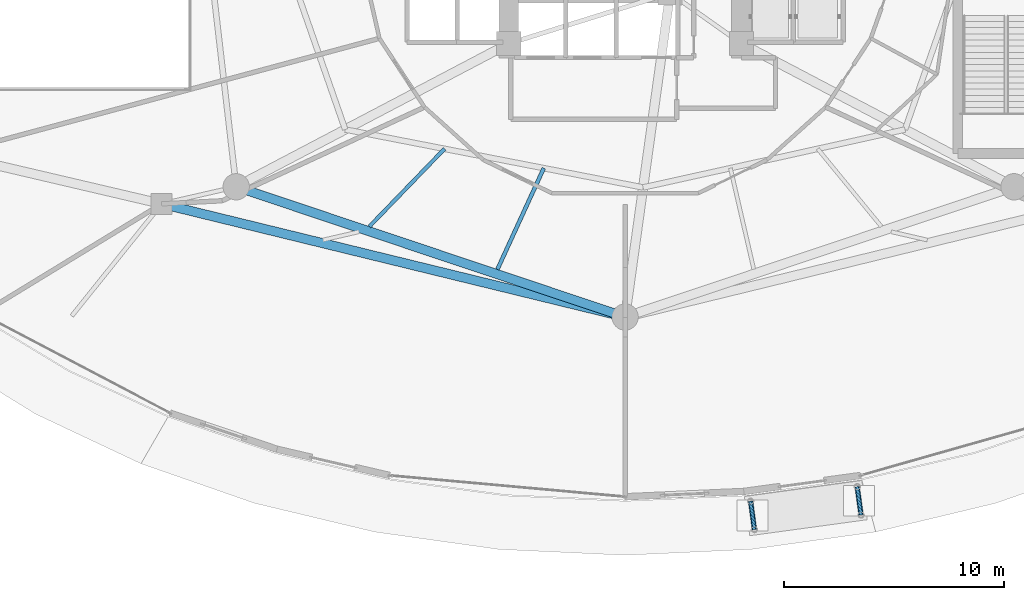
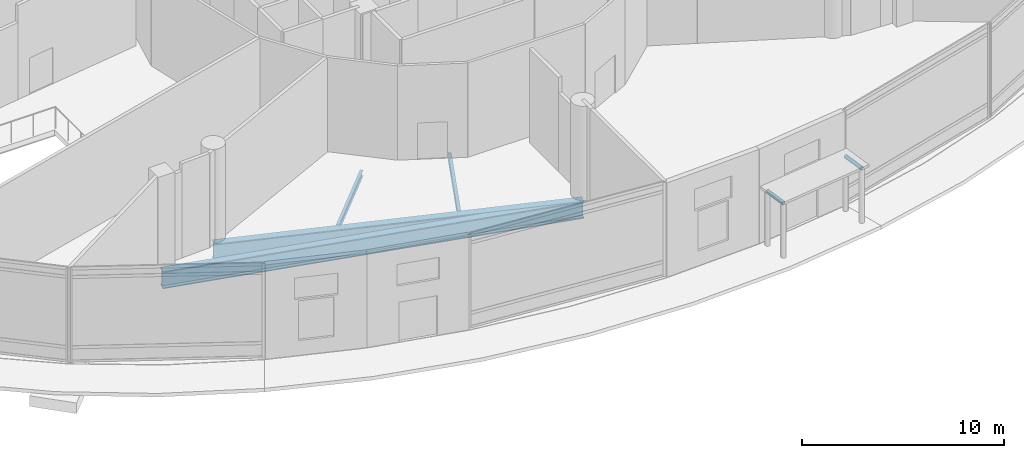
# One storey, part 13 of 40: 4 beams, 2 members.
"""IFC4 building model written with IfcOpenShell, lengths in metres."""

from ifc_helpers import new_model, si_unit, direction, frame, origin, origin_2d, place, context, subcontext, project, spatial, hollow_circle, i_section, extrude, material, material_profile, profile_set, type_object, element, save


model = new_model("IFC4")

# Units and contexts
model_context = context("Model", 3, precision=1e-05, world=origin(), true_north=direction((0.0, 1.0)))
body_context = subcontext(model_context, "Body", "Model", "MODEL_VIEW")
ifc_project = project(units=[si_unit("LENGTHUNIT", "METRE"), si_unit("AREAUNIT", "SQUARE_METRE"), si_unit("VOLUMEUNIT", "CUBIC_METRE"), si_unit("PLANEANGLEUNIT", "RADIAN"), si_unit("MASSUNIT", "GRAM", prefix="KILO")], contexts=[model_context])

# Site, building, storey
site_placement = place(None, origin())
site = spatial("IfcSite", under=ifc_project, at=site_placement, CompositionType="ELEMENT")
building_placement = place(site_placement, origin())
building = spatial("IfcBuilding", under=site, at=building_placement, Name="Nuhasar Tower", CompositionType="ELEMENT")
storey_placement = place(building_placement, origin())
storey = spatial("IfcBuildingStorey", under=building, at=storey_placement, Name="L00", CompositionType="ELEMENT", Elevation=0.0)

# Beams
ifc_material_1 = material(Name="Steel S355", Category="steel")
ifc_material_profile_1 = material_profile(ifc_material_1, i_section(OverallWidth=0.1708984375, OverallDepth=0.35205078125, WebThickness=0.0068359375, FlangeThickness=0.009765625, at=origin_2d()), Name="W14X30")
ifc_profile_set_1 = profile_set([ifc_material_profile_1], Name="Steel S355")
beam_type_1 = type_object("IfcBeamType", Name="BM-JST-W14X30", PredefinedType="JOIST", material=ifc_profile_set_1)
beam_1_placement = place(storey_placement, frame((30.77490234375, 14.208984375, -0.49609375), z_axis=(-0.695213362508, -0.718803436685, 0.0), x_axis=(0.718803436685, -0.695213362508, 0.0)))
element("IfcBeam", 1, at=beam_1_placement, inside=storey, type_object=beam_type_1, Name="L00 Secondary Floor Joist 01", PredefinedType="JOIST", context=body_context, shape_type="SweptSolid", body=[
    extrude(i_section(OverallWidth=0.1708984375, OverallDepth=0.35205078125, WebThickness=0.0068359375, FlangeThickness=0.009765625, at=origin_2d()), origin(), (0.0, 0.0, 1.0), 4.92626953125),
])
ifc_material_profile_2 = material_profile(ifc_material_1, i_section(OverallWidth=0.177978515625, OverallDepth=0.406005859375, WebThickness=0.0078125, FlangeThickness=0.0126953125, at=origin_2d()), Name="W16X40")
ifc_profile_set_2 = profile_set([ifc_material_profile_2], Name="Steel S355")
beam_type_2 = type_object("IfcBeamType", Name="BM-JST-W16X40", PredefinedType="JOIST", material=ifc_profile_set_2)
beam_2_placement = place(storey_placement, frame((35.297119140625, 13.330078125, -0.52294921875), z_axis=(-0.416659678272, -0.909062545979, 0.0), x_axis=(0.909062545979, -0.416659678272, 0.0)))
element("IfcBeam", 2, at=beam_2_placement, inside=storey, type_object=beam_type_2, Name="L00 Secondary Floor Joist 02", PredefinedType="JOIST", context=body_context, shape_type="SweptSolid", body=[
    extrude(i_section(OverallWidth=0.177978515625, OverallDepth=0.406005859375, WebThickness=0.0078125, FlangeThickness=0.0126953125, at=origin_2d()), origin(), (0.0, 0.0, 1.0), 5.07666015625),
])
ifc_material_2 = material(Name="Steel S460", Category="steel")
ifc_material_profile_3 = material_profile(ifc_material_2, i_section(OverallWidth=0.419921875, OverallDepth=1.0400390625, WebThickness=0.031005859375, FlangeThickness=0.055908203125, at=origin_2d()), Name="W40X397")
ifc_profile_set_3 = profile_set([ifc_material_profile_3], Name="Steel S460")
beam_type_3 = type_object("IfcBeamType", Name="BM-XFER-W40X397", PredefinedType="USERDEFINED", material=ifc_profile_set_3)
beam_3_placement = place(storey_placement, frame((21.287109375, 12.48095703125, -0.840087890625), z_axis=(0.948255042429, -0.317509644748, 0.0), x_axis=(0.317509644748, 0.948255042429, 0.0)))
element("IfcBeam", 3, at=beam_3_placement, inside=storey, type_object=beam_type_3, Name="L00 Mega-Column Ring Girder 01", ObjectType="GIRDER", PredefinedType="USERDEFINED", context=body_context, shape_type="SweptSolid", body=[
    extrude(i_section(OverallWidth=0.419921875, OverallDepth=1.0400390625, WebThickness=0.031005859375, FlangeThickness=0.055908203125, at=origin_2d()), origin(), (0.0, 0.0, 1.0), 18.679443359375),
])
beam_4_placement = place(storey_placement, frame((17.89306640625, 11.702880859375, -0.840087890625), z_axis=(0.971469463574, -0.237164671365, 0.0), x_axis=(0.237164671365, 0.971469463574, 0.0)))
element("IfcBeam", 4, at=beam_4_placement, inside=storey, type_object=beam_type_3, Name="L00 Podium Ring Girder 01", ObjectType="GIRDER", PredefinedType="USERDEFINED", context=body_context, shape_type="SweptSolid", body=[
    extrude(i_section(OverallWidth=0.419921875, OverallDepth=1.0400390625, WebThickness=0.031005859375, FlangeThickness=0.055908203125, at=origin_2d()), origin(), (0.0, 0.0, 1.0), 21.726806640625),
])

# Members
ifc_material_profile_4 = material_profile(ifc_material_1, hollow_circle(Radius=0.109619140625, WallThickness=0.0126953125, at=origin_2d()), Name="HSS219.1X12.7")
ifc_profile_set_4 = profile_set([ifc_material_profile_4], Name="Steel S355")
member_type = type_object("IfcMemberType", Name="CANOPY-RAFTER-219", PredefinedType="RAFTER", material=ifc_profile_set_4)
member_1_placement = place(storey_placement, frame((44.714111328125, -1.841064453125, 3.25), z_axis=(0.135238932877, -0.990813015172, 0.0), x_axis=(0.990813015172, 0.135238932877, 0.0)))
element("IfcMember", 5, at=member_1_placement, inside=storey, type_object=member_type, Name="L00 Entrance Canopy Rafter South 1", PredefinedType="RAFTER", context=body_context, shape_type="SweptSolid", body=[
    extrude(hollow_circle(Radius=0.109619140625, WallThickness=0.0126953125, at=origin_2d()), origin(), (0.0, 0.0, 1.0), 1.2998046875),
])
member_2_placement = place(storey_placement, frame((49.569091796875, -1.177978515625, 3.25), z_axis=(0.135398125136, -0.990791273533, 0.0), x_axis=(0.990791273533, 0.135398125136, 0.0)))
element("IfcMember", 6, at=member_2_placement, inside=storey, type_object=member_type, Name="L00 Entrance Canopy Rafter South 2", PredefinedType="RAFTER", context=body_context, shape_type="SweptSolid", body=[
    extrude(hollow_circle(Radius=0.109619140625, WallThickness=0.0126953125, at=origin_2d()), origin(), (0.0, 0.0, 1.0), 1.300048828125),
])

save(model, "model.ifc")
